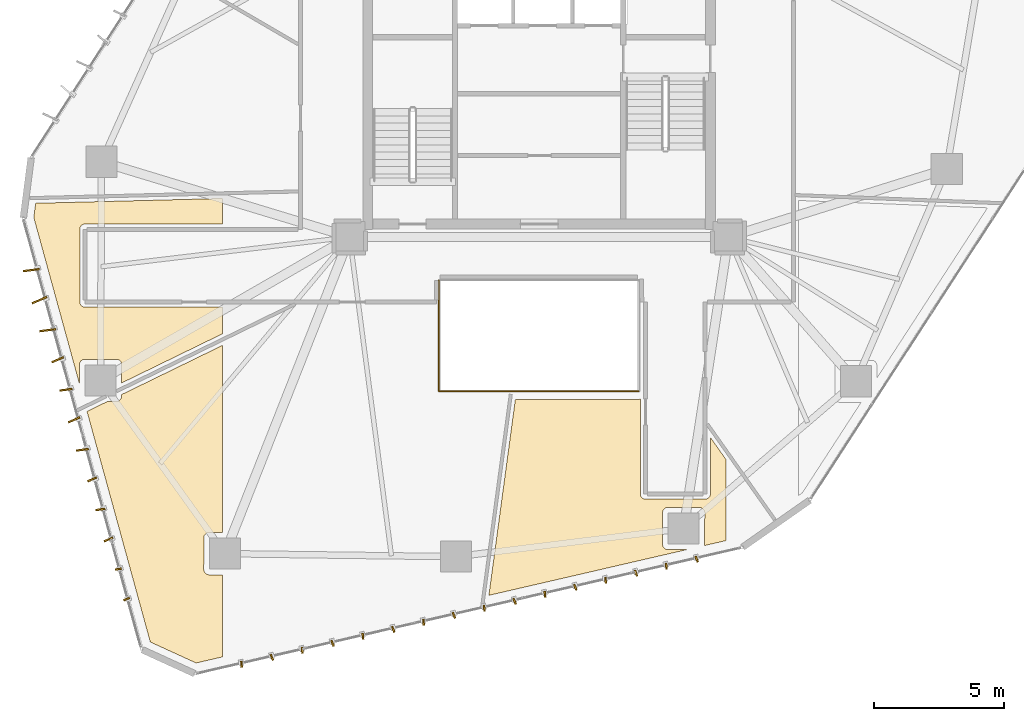
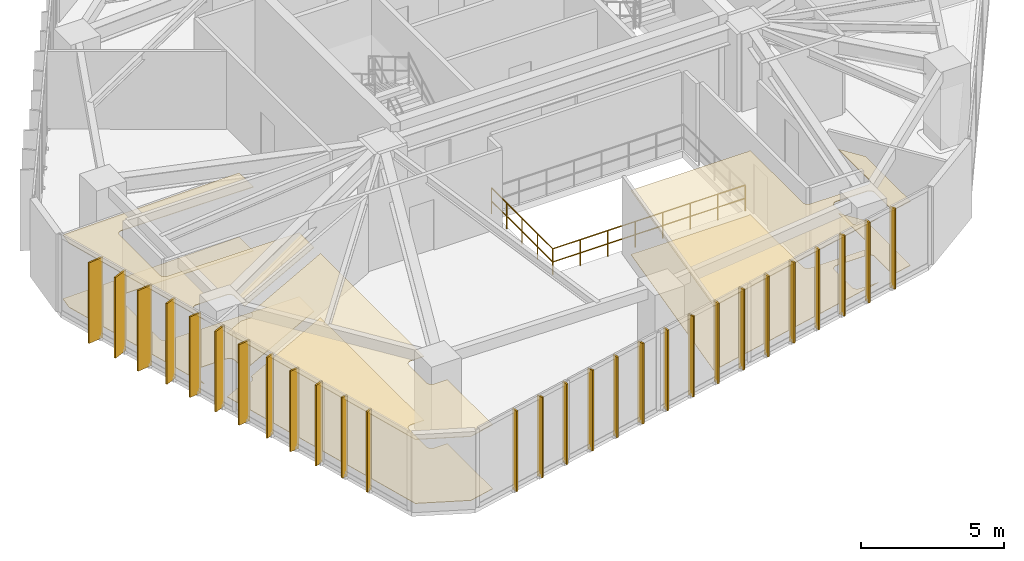
# One storey, part 19 of 21: 28 shading devices, 6 coverings, 2 railings.
"""IFC4 building model written with IfcOpenShell, lengths in metres."""

from ifc_helpers import new_model, si_unit, direction, frame, origin, origin_2d, place, context, subcontext, project, spatial, polyline, rectangle, circle, outline, extrude, source, transform, mapped, material, layer, layer_set, type_object, type_shapes, element, save


model = new_model("IFC4")

# Units and contexts
model_context = context("Model", 3, precision=1e-05, world=origin(), true_north=direction((0.0, 1.0)))
body_context = subcontext(model_context, "Body", "Model", "MODEL_VIEW")
ifc_project = project(units=[si_unit("LENGTHUNIT", "METRE"), si_unit("AREAUNIT", "SQUARE_METRE"), si_unit("VOLUMEUNIT", "CUBIC_METRE"), si_unit("PLANEANGLEUNIT", "RADIAN"), si_unit("MASSUNIT", "GRAM", prefix="KILO")], contexts=[model_context])

# Site, building, storey
site_placement = place(None, origin())
site = spatial("IfcSite", under=ifc_project, at=site_placement, CompositionType="ELEMENT")
building_placement = place(site_placement, origin())
building = spatial("IfcBuilding", under=site, at=building_placement, Name="Talar Marvaseh", CompositionType="ELEMENT")
storey_placement = place(building_placement, frame((0.0, 0.0, 129.0)))
storey = spatial("IfcBuildingStorey", under=building, at=storey_placement, Name="L33", CompositionType="ELEMENT", Elevation=129.0)

# Railings
ifc_material_1 = material(Name="Tempered Clear Glass", Category="glass")
railing_type = type_object("IfcRailingType", Name="Interior Atrium Edge Balustrade 1120", PredefinedType="BALUSTRADE", material=ifc_material_1)
railing_1_placement = place(storey_placement, frame((22.1298828125, 19.561279296875, 0.0)))
element("IfcRailing", 1, at=railing_1_placement, inside=storey, type_object=railing_type, Name="L33 Internal Daylight Atrium Balustrade 1", PredefinedType="BALUSTRADE", context=body_context, shape_type="SweptSolid", body=[
    extrude(circle(Radius=0.02392578125, at=origin_2d()), frame((0.0, 0.0, 1.09619140625), z_axis=(1.0, 0.0, 0.0), x_axis=(0.0, 1.0, 0.0)), (0.0, 0.0, 1.0), 7.740234375),
    extrude(circle(Radius=0.02392578125, at=origin_2d()), frame((0.0, 0.0, 0.5361328125), z_axis=(1.0, 0.0, 0.0), x_axis=(0.0, 1.0, 0.0)), (0.0, 0.0, 1.0), 7.740234375),
    extrude(circle(Radius=0.02099609375, at=origin_2d()), origin(), (0.0, 0.0, 1.0), 1.072021484375),
    extrude(circle(Radius=0.02099609375, at=origin_2d()), frame((1.105712890625, 0.0, 0.0)), (0.0, 0.0, 1.0), 1.072021484375),
    extrude(circle(Radius=0.02099609375, at=origin_2d()), frame((2.21142578125, 0.0, 0.0)), (0.0, 0.0, 1.0), 1.072021484375),
    extrude(circle(Radius=0.02099609375, at=origin_2d()), frame((3.317138671875, 0.0, 0.0)), (0.0, 0.0, 1.0), 1.072021484375),
    extrude(circle(Radius=0.02099609375, at=origin_2d()), frame((4.423095703125, 0.0, 0.0)), (0.0, 0.0, 1.0), 1.072021484375),
    extrude(circle(Radius=0.02099609375, at=origin_2d()), frame((5.52880859375, 0.0, 0.0)), (0.0, 0.0, 1.0), 1.072021484375),
    extrude(circle(Radius=0.02099609375, at=origin_2d()), frame((6.634521484375, 0.0, 0.0)), (0.0, 0.0, 1.0), 1.072021484375),
    extrude(circle(Radius=0.02099609375, at=origin_2d()), frame((7.740234375, 0.0, 0.0)), (0.0, 0.0, 1.0), 1.072021484375),
])
railing_2_placement = place(storey_placement, frame((22.1298828125, 23.838623046875, 0.0)))
element("IfcRailing", 2, at=railing_2_placement, inside=storey, type_object=railing_type, Name="L33 Internal Daylight Atrium Balustrade 4", PredefinedType="BALUSTRADE", context=body_context, shape_type="SweptSolid", body=[
    extrude(circle(Radius=0.02392578125, at=origin_2d()), frame((0.0, 0.0, 1.09619140625), z_axis=(0.0, -1.0, 0.0), x_axis=(1.0, 0.0, 0.0)), (0.0, 0.0, 1.0), 4.27734375),
    extrude(circle(Radius=0.02392578125, at=origin_2d()), frame((0.0, 0.0, 0.5361328125), z_axis=(0.0, -1.0, 0.0), x_axis=(1.0, 0.0, 0.0)), (0.0, 0.0, 1.0), 4.27734375),
    extrude(circle(Radius=0.02099609375, at=origin_2d()), origin(), (0.0, 0.0, 1.0), 1.072021484375),
    extrude(circle(Radius=0.02099609375, at=origin_2d()), frame((0.0, -1.0693359375, 0.0)), (0.0, 0.0, 1.0), 1.072021484375),
    extrude(circle(Radius=0.02099609375, at=origin_2d()), frame((0.0, -2.138671875, 0.0)), (0.0, 0.0, 1.0), 1.072021484375),
    extrude(circle(Radius=0.02099609375, at=origin_2d()), frame((0.0, -3.2080078125, 0.0)), (0.0, 0.0, 1.0), 1.072021484375),
    extrude(circle(Radius=0.02099609375, at=origin_2d()), frame((0.0, -4.27734375, 0.0)), (0.0, 0.0, 1.0), 1.072021484375),
])

# Coverings
ifc_material_2 = material(Name="Mineral Fibre Acoustic Ceiling")
ifc_layer_1 = layer(ifc_material_2, 0.02490234375)
ifc_layer_set_1 = layer_set([ifc_layer_1], Name="Mineral Fibre Acoustic Ceiling")
covering_type_1 = type_object("IfcCoveringType", Name="Perforated Mineral Fibre Acoustic Suspended Ceiling", PredefinedType="CEILING", material=ifc_layer_set_1)
covering_1_placement = place(storey_placement, frame((0.0, 0.0, 2.719970703125)))
element("IfcCovering", 3, at=covering_1_placement, inside=storey, type_object=covering_type_1, Name="L33 Accessible WC Block Acoustic Ceiling", PredefinedType="CEILING", context=body_context, shape_type="SweptSolid", body=[
    extrude(outline(polyline([(13.800048828125, 26.0), (8.5, 26.0), (8.48046875, 25.9990234375), (8.4609375, 25.99609375), (8.44189453125, 25.991455078125), (8.423583984375, 25.98486328125), (8.40576171875, 25.976318359375), (8.388916015625, 25.96630859375), (8.373046875, 25.95458984375), (8.358642578125, 25.94140625), (8.345458984375, 25.927001953125), (8.333740234375, 25.9111328125), (8.323486328125, 25.894287109375), (8.315185546875, 25.87646484375), (8.30859375, 25.858154296875), (8.3037109375, 25.839111328125), (8.301025390625, 25.819580078125), (8.300048828125, 25.800048828125), (8.300048828125, 23.0), (8.301025390625, 22.98046875), (8.3037109375, 22.9609375), (8.30859375, 22.94189453125), (8.315185546875, 22.923583984375), (8.323486328125, 22.90576171875), (8.333740234375, 22.888916015625), (8.345458984375, 22.873046875), (8.358642578125, 22.858642578125), (8.373046875, 22.845458984375), (8.388916015625, 22.833740234375), (8.40576171875, 22.823486328125), (8.423583984375, 22.815185546875), (8.44189453125, 22.80859375), (8.4609375, 22.8037109375), (8.48046875, 22.801025390625), (8.5, 22.800048828125), (13.800048828125, 22.800048828125), (13.800048828125, 21.772216796875), (9.916015625, 19.8779296875), (9.916015625, 20.576904296875), (9.915283203125, 20.5947265625), (9.912841796875, 20.6123046875), (9.908935546875, 20.62939453125), (9.903564453125, 20.646484375), (9.896728515625, 20.66259765625), (9.89111328125, 20.67431640625), (9.881591796875, 20.6923828125), (9.8701171875, 20.709228515625), (9.856689453125, 20.724853515625), (9.842041015625, 20.7392578125), (9.825927734375, 20.751953125), (9.80859375, 20.7626953125), (9.790283203125, 20.77197265625), (9.771240234375, 20.779296875), (9.75146484375, 20.784423828125), (9.731201171875, 20.78759765625), (9.710693359375, 20.78857421875), (8.494140625, 20.790283203125), (8.475341796875, 20.789306640625), (8.456787109375, 20.78662109375), (8.438720703125, 20.782470703125), (8.4208984375, 20.7763671875), (8.40380859375, 20.768798828125), (8.38720703125, 20.759521484375), (8.371826171875, 20.748779296875), (8.357666015625, 20.736572265625), (8.344482421875, 20.72314453125), (8.332763671875, 20.70849609375), (8.322265625, 20.69287109375), (8.314453125, 20.6796875), (8.305908203125, 20.663818359375), (8.298583984375, 20.647216796875), (8.293212890625, 20.630126953125), (8.289306640625, 20.612548828125), (8.286865234375, 20.594482421875), (8.285888671875, 20.57666015625), (8.28759765625, 19.84228515625), (6.5283203125, 26.2529296875), (6.599365234375, 26.802734375), (13.800048828125, 26.9873046875), (13.800048828125, 26.0)])), origin(), (0.0, 0.0, 1.0), 0.025146484375),
])
covering_2_placement = place(storey_placement, frame((0.0, 0.0, 2.719970703125)))
element("IfcCovering", 4, at=covering_2_placement, inside=storey, type_object=covering_type_1, Name="L33 Curatorial Office Acoustic Ceiling", PredefinedType="CEILING", context=body_context, shape_type="SweptSolid", body=[
    extrude(outline(polyline([(9.361083984375, 19.162109375), (9.708984375, 19.163818359375), (9.7294921875, 19.164794921875), (9.749755859375, 19.168212890625), (9.76953125, 19.173583984375), (9.788818359375, 19.180908203125), (9.80712890625, 19.18994140625), (9.824462890625, 19.201171875), (9.840576171875, 19.2138671875), (9.855224609375, 19.228271484375), (9.868408203125, 19.243896484375), (9.879638671875, 19.260986328125), (9.8876953125, 19.2744140625), (9.897705078125, 19.29345703125), (9.905517578125, 19.3134765625), (9.911376953125, 19.334228515625), (9.914794921875, 19.35546875), (9.916015625, 19.376953125), (9.916015625, 19.432861328125), (13.800048828125, 21.3271484375), (13.800048828125, 14.11376953125), (13.291015625, 14.114013671875), (13.2734375, 14.11328125), (13.255859375, 14.11083984375), (13.238525390625, 14.10693359375), (13.2216796875, 14.1015625), (13.205322265625, 14.0947265625), (13.193603515625, 14.089111328125), (13.17578125, 14.07958984375), (13.15869140625, 14.068115234375), (13.14306640625, 14.054931640625), (13.12890625, 14.040283203125), (13.1162109375, 14.024169921875), (13.105224609375, 14.0068359375), (13.09619140625, 13.988525390625), (13.0888671875, 13.96923828125), (13.083740234375, 13.949462890625), (13.08056640625, 13.92919921875), (13.079345703125, 13.908935546875), (13.0771484375, 12.693603515625), (13.077880859375, 12.674072265625), (13.080810546875, 12.654541015625), (13.085693359375, 12.635498046875), (13.09228515625, 12.616943359375), (13.1005859375, 12.59912109375), (13.110595703125, 12.58251953125), (13.122314453125, 12.566650390625), (13.135498046875, 12.552001953125), (13.150146484375, 12.538818359375), (13.166015625, 12.527099609375), (13.1796875, 12.517822265625), (13.196533203125, 12.5078125), (13.21435546875, 12.499267578125), (13.23291015625, 12.49267578125), (13.251953125, 12.48779296875), (13.271484375, 12.485107421875), (13.291015625, 12.48388671875), (13.800048828125, 12.48388671875), (13.800048828125, 9.320556640625), (12.7841796875, 9.085693359375), (11.017822265625, 9.893310546875), (8.578857421875, 18.78076171875), (9.361083984375, 19.162109375)])), origin(), (0.0, 0.0, 1.0), 0.025146484375),
])
covering_3_placement = place(storey_placement, frame((0.0, 0.0, 2.719970703125)))
element("IfcCovering", 5, at=covering_3_placement, inside=storey, type_object=covering_type_1, Name="L33 Museum Publication Bookshop Acoustic Ceiling", PredefinedType="CEILING", context=body_context, shape_type="SweptSolid", body=[
    extrude(outline(polyline([(29.800048828125, 19.239990234375), (29.81640625, 19.24072265625), (29.83251953125, 19.24267578125), (29.8486328125, 19.24609375), (29.89990234375, 19.2587890625), (29.89990234375, 15.60009765625), (29.90087890625, 15.580322265625), (29.90380859375, 15.56103515625), (29.90869140625, 15.5419921875), (29.915283203125, 15.5234375), (29.923583984375, 15.505615234375), (29.93359375, 15.489013671875), (29.9453125, 15.47314453125), (29.95849609375, 15.45849609375), (29.97314453125, 15.4453125), (29.989013671875, 15.43359375), (30.005615234375, 15.423583984375), (30.0234375, 15.415283203125), (30.0419921875, 15.40869140625), (30.06103515625, 15.40380859375), (30.080322265625, 15.40087890625), (30.10009765625, 15.39990234375), (32.39990234375, 15.39990234375), (32.419677734375, 15.40087890625), (32.43896484375, 15.40380859375), (32.4580078125, 15.40869140625), (32.4765625, 15.415283203125), (32.494384765625, 15.423583984375), (32.510986328125, 15.43359375), (32.52685546875, 15.4453125), (32.54150390625, 15.45849609375), (32.5546875, 15.47314453125), (32.56640625, 15.489013671875), (32.576416015625, 15.505615234375), (32.584716796875, 15.5234375), (32.59130859375, 15.5419921875), (32.59619140625, 15.56103515625), (32.59912109375, 15.580322265625), (32.60009765625, 15.60009765625), (32.60009765625, 17.78271484375), (33.199951171875, 16.930908203125), (33.199951171875, 13.802490234375), (32.375244140625, 13.612060546875), (32.376708984375, 13.617919921875), (32.379638671875, 13.63720703125), (32.380615234375, 13.65673828125), (32.385009765625, 14.868896484375), (32.384033203125, 14.887451171875), (32.381591796875, 14.90576171875), (32.377197265625, 14.924072265625), (32.371337890625, 14.941650390625), (32.364013671875, 14.958740234375), (32.35498046875, 14.974853515625), (32.34423828125, 14.990234375), (32.33251953125, 15.004638671875), (32.319091796875, 15.017578125), (32.30419921875, 15.03125), (32.2900390625, 15.04296875), (32.274658203125, 15.053466796875), (32.258544921875, 15.062255859375), (32.24169921875, 15.069580078125), (32.22412109375, 15.07568359375), (32.2060546875, 15.07958984375), (32.187744140625, 15.082275390625), (32.169189453125, 15.0830078125), (30.958740234375, 15.07861328125), (30.939208984375, 15.07763671875), (30.919921875, 15.07470703125), (30.90087890625, 15.06982421875), (30.88232421875, 15.063232421875), (30.86474609375, 15.0546875), (30.847900390625, 15.044677734375), (30.832275390625, 15.032958984375), (30.817626953125, 15.019775390625), (30.8046875, 15.005126953125), (30.79296875, 14.989501953125), (30.782958984375, 14.97265625), (30.774658203125, 14.955078125), (30.76806640625, 14.9365234375), (30.76318359375, 14.91748046875), (30.760498046875, 14.898193359375), (30.759521484375, 14.878662109375), (30.759521484375, 13.657470703125), (30.760498046875, 13.6376953125), (30.76318359375, 13.618408203125), (30.76806640625, 13.599365234375), (30.774658203125, 13.580810546875), (30.782958984375, 13.56298828125), (30.793212890625, 13.54638671875), (30.8046875, 13.530517578125), (30.818115234375, 13.51611328125), (30.83251953125, 13.502685546875), (30.848388671875, 13.4912109375), (30.864990234375, 13.48095703125), (30.8828125, 13.47265625), (30.9013671875, 13.466064453125), (30.92041015625, 13.461181640625), (30.939697265625, 13.45849609375), (30.95947265625, 13.45751953125), (31.7060546875, 13.45751953125), (24.06494140625, 11.69189453125), (25.085205078125, 19.239990234375), (29.800048828125, 19.239990234375)])), origin(), (0.0, 0.0, 1.0), 0.025146484375),
])
ifc_material_3 = material(Name="Porcelain Stoneware Tile", Category="masonry")
ifc_layer_2 = layer(ifc_material_3, 0.02001953125)
ifc_layer_set_2 = layer_set([ifc_layer_2], Name="Porcelain Stoneware Tile")
covering_type_2 = type_object("IfcCoveringType", Name="Polished Porcelain Stoneware Gallery Flooring", PredefinedType="FLOORING", material=ifc_layer_set_2)
covering_4_placement = place(storey_placement, origin())
element("IfcCovering", 6, at=covering_4_placement, inside=storey, type_object=covering_type_2, Name="L33 Accessible WC Block Flooring", PredefinedType="FLOORING", context=body_context, shape_type="SweptSolid", body=[
    extrude(outline(polyline([(13.800048828125, 26.0), (8.5, 26.0), (8.48046875, 25.9990234375), (8.4609375, 25.99609375), (8.44189453125, 25.991455078125), (8.423583984375, 25.98486328125), (8.40576171875, 25.976318359375), (8.388916015625, 25.96630859375), (8.373046875, 25.95458984375), (8.358642578125, 25.94140625), (8.345458984375, 25.927001953125), (8.333740234375, 25.9111328125), (8.323486328125, 25.894287109375), (8.315185546875, 25.87646484375), (8.30859375, 25.858154296875), (8.3037109375, 25.839111328125), (8.301025390625, 25.819580078125), (8.300048828125, 25.800048828125), (8.300048828125, 23.0), (8.301025390625, 22.98046875), (8.3037109375, 22.9609375), (8.30859375, 22.94189453125), (8.315185546875, 22.923583984375), (8.323486328125, 22.90576171875), (8.333740234375, 22.888916015625), (8.345458984375, 22.873046875), (8.358642578125, 22.858642578125), (8.373046875, 22.845458984375), (8.388916015625, 22.833740234375), (8.40576171875, 22.823486328125), (8.423583984375, 22.815185546875), (8.44189453125, 22.80859375), (8.4609375, 22.8037109375), (8.48046875, 22.801025390625), (8.5, 22.800048828125), (13.800048828125, 22.800048828125), (13.800048828125, 21.772216796875), (9.916015625, 19.8779296875), (9.916015625, 20.576904296875), (9.915283203125, 20.5947265625), (9.912841796875, 20.6123046875), (9.908935546875, 20.62939453125), (9.903564453125, 20.646484375), (9.896728515625, 20.66259765625), (9.89111328125, 20.67431640625), (9.881591796875, 20.6923828125), (9.8701171875, 20.709228515625), (9.856689453125, 20.724853515625), (9.842041015625, 20.7392578125), (9.825927734375, 20.751953125), (9.80859375, 20.7626953125), (9.790283203125, 20.77197265625), (9.771240234375, 20.779296875), (9.75146484375, 20.784423828125), (9.731201171875, 20.78759765625), (9.710693359375, 20.78857421875), (8.494140625, 20.790283203125), (8.475341796875, 20.789306640625), (8.456787109375, 20.78662109375), (8.438720703125, 20.782470703125), (8.4208984375, 20.7763671875), (8.40380859375, 20.768798828125), (8.38720703125, 20.759521484375), (8.371826171875, 20.748779296875), (8.357666015625, 20.736572265625), (8.344482421875, 20.72314453125), (8.332763671875, 20.70849609375), (8.322265625, 20.69287109375), (8.314453125, 20.6796875), (8.305908203125, 20.663818359375), (8.298583984375, 20.647216796875), (8.293212890625, 20.630126953125), (8.289306640625, 20.612548828125), (8.286865234375, 20.594482421875), (8.285888671875, 20.57666015625), (8.28759765625, 19.84228515625), (6.5283203125, 26.2529296875), (6.599365234375, 26.802734375), (13.800048828125, 26.9873046875), (13.800048828125, 26.0)])), origin(), (0.0, 0.0, 1.0), 0.02001953125),
])
covering_5_placement = place(storey_placement, origin())
element("IfcCovering", 7, at=covering_5_placement, inside=storey, type_object=covering_type_2, Name="L33 Curatorial Office Flooring", PredefinedType="FLOORING", context=body_context, shape_type="SweptSolid", body=[
    extrude(outline(polyline([(9.361083984375, 19.162109375), (9.708984375, 19.163818359375), (9.7294921875, 19.164794921875), (9.749755859375, 19.168212890625), (9.76953125, 19.173583984375), (9.788818359375, 19.180908203125), (9.80712890625, 19.18994140625), (9.824462890625, 19.201171875), (9.840576171875, 19.2138671875), (9.855224609375, 19.228271484375), (9.868408203125, 19.243896484375), (9.879638671875, 19.260986328125), (9.8876953125, 19.2744140625), (9.897705078125, 19.29345703125), (9.905517578125, 19.3134765625), (9.911376953125, 19.334228515625), (9.914794921875, 19.35546875), (9.916015625, 19.376953125), (9.916015625, 19.432861328125), (13.800048828125, 21.3271484375), (13.800048828125, 14.11376953125), (13.291015625, 14.114013671875), (13.2734375, 14.11328125), (13.255859375, 14.11083984375), (13.238525390625, 14.10693359375), (13.2216796875, 14.1015625), (13.205322265625, 14.0947265625), (13.193603515625, 14.089111328125), (13.17578125, 14.07958984375), (13.15869140625, 14.068115234375), (13.14306640625, 14.054931640625), (13.12890625, 14.040283203125), (13.1162109375, 14.024169921875), (13.105224609375, 14.0068359375), (13.09619140625, 13.988525390625), (13.0888671875, 13.96923828125), (13.083740234375, 13.949462890625), (13.08056640625, 13.92919921875), (13.079345703125, 13.908935546875), (13.0771484375, 12.693603515625), (13.077880859375, 12.674072265625), (13.080810546875, 12.654541015625), (13.085693359375, 12.635498046875), (13.09228515625, 12.616943359375), (13.1005859375, 12.59912109375), (13.110595703125, 12.58251953125), (13.122314453125, 12.566650390625), (13.135498046875, 12.552001953125), (13.150146484375, 12.538818359375), (13.166015625, 12.527099609375), (13.1796875, 12.517822265625), (13.196533203125, 12.5078125), (13.21435546875, 12.499267578125), (13.23291015625, 12.49267578125), (13.251953125, 12.48779296875), (13.271484375, 12.485107421875), (13.291015625, 12.48388671875), (13.800048828125, 12.48388671875), (13.800048828125, 9.320556640625), (12.7841796875, 9.085693359375), (11.017822265625, 9.893310546875), (8.578857421875, 18.78076171875), (9.361083984375, 19.162109375)])), origin(), (0.0, 0.0, 1.0), 0.02001953125),
])
covering_6_placement = place(storey_placement, origin())
element("IfcCovering", 8, at=covering_6_placement, inside=storey, type_object=covering_type_2, Name="L33 Museum Publication Bookshop Flooring", PredefinedType="FLOORING", context=body_context, shape_type="SweptSolid", body=[
    extrude(outline(polyline([(29.800048828125, 19.239990234375), (29.81640625, 19.24072265625), (29.83251953125, 19.24267578125), (29.8486328125, 19.24609375), (29.89990234375, 19.2587890625), (29.89990234375, 15.60009765625), (29.90087890625, 15.580322265625), (29.90380859375, 15.56103515625), (29.90869140625, 15.5419921875), (29.915283203125, 15.5234375), (29.923583984375, 15.505615234375), (29.93359375, 15.489013671875), (29.9453125, 15.47314453125), (29.95849609375, 15.45849609375), (29.97314453125, 15.4453125), (29.989013671875, 15.43359375), (30.005615234375, 15.423583984375), (30.0234375, 15.415283203125), (30.0419921875, 15.40869140625), (30.06103515625, 15.40380859375), (30.080322265625, 15.40087890625), (30.10009765625, 15.39990234375), (32.39990234375, 15.39990234375), (32.419677734375, 15.40087890625), (32.43896484375, 15.40380859375), (32.4580078125, 15.40869140625), (32.4765625, 15.415283203125), (32.494384765625, 15.423583984375), (32.510986328125, 15.43359375), (32.52685546875, 15.4453125), (32.54150390625, 15.45849609375), (32.5546875, 15.47314453125), (32.56640625, 15.489013671875), (32.576416015625, 15.505615234375), (32.584716796875, 15.5234375), (32.59130859375, 15.5419921875), (32.59619140625, 15.56103515625), (32.59912109375, 15.580322265625), (32.60009765625, 15.60009765625), (32.60009765625, 17.78271484375), (33.199951171875, 16.930908203125), (33.199951171875, 13.802490234375), (32.375244140625, 13.612060546875), (32.376708984375, 13.617919921875), (32.379638671875, 13.63720703125), (32.380615234375, 13.65673828125), (32.385009765625, 14.868896484375), (32.384033203125, 14.887451171875), (32.381591796875, 14.90576171875), (32.377197265625, 14.924072265625), (32.371337890625, 14.941650390625), (32.364013671875, 14.958740234375), (32.35498046875, 14.974853515625), (32.34423828125, 14.990234375), (32.33251953125, 15.004638671875), (32.319091796875, 15.017578125), (32.30419921875, 15.03125), (32.2900390625, 15.04296875), (32.274658203125, 15.053466796875), (32.258544921875, 15.062255859375), (32.24169921875, 15.069580078125), (32.22412109375, 15.07568359375), (32.2060546875, 15.07958984375), (32.187744140625, 15.082275390625), (32.169189453125, 15.0830078125), (30.958740234375, 15.07861328125), (30.939208984375, 15.07763671875), (30.919921875, 15.07470703125), (30.90087890625, 15.06982421875), (30.88232421875, 15.063232421875), (30.86474609375, 15.0546875), (30.847900390625, 15.044677734375), (30.832275390625, 15.032958984375), (30.817626953125, 15.019775390625), (30.8046875, 15.005126953125), (30.79296875, 14.989501953125), (30.782958984375, 14.97265625), (30.774658203125, 14.955078125), (30.76806640625, 14.9365234375), (30.76318359375, 14.91748046875), (30.760498046875, 14.898193359375), (30.759521484375, 14.878662109375), (30.759521484375, 13.657470703125), (30.760498046875, 13.6376953125), (30.76318359375, 13.618408203125), (30.76806640625, 13.599365234375), (30.774658203125, 13.580810546875), (30.782958984375, 13.56298828125), (30.793212890625, 13.54638671875), (30.8046875, 13.530517578125), (30.818115234375, 13.51611328125), (30.83251953125, 13.502685546875), (30.848388671875, 13.4912109375), (30.864990234375, 13.48095703125), (30.8828125, 13.47265625), (30.9013671875, 13.466064453125), (30.92041015625, 13.461181640625), (30.939697265625, 13.45849609375), (30.95947265625, 13.45751953125), (31.7060546875, 13.45751953125), (24.06494140625, 11.69189453125), (25.085205078125, 19.239990234375), (29.800048828125, 19.239990234375)])), origin(), (0.0, 0.0, 1.0), 0.02001953125),
])

# Shading devices
ifc_material_4 = material(Name="Anodised Champagne Bronze Aluminium", Category="aluminium")
ifc_layer_3 = layer(ifc_material_4, 0.06494140625)
ifc_layer_set_3 = layer_set([ifc_layer_3], Name="Anodised Champagne Bronze Aluminium")
shading_device_type_1 = type_object("IfcShadingDeviceType", Name="Sawtooth Champagne Bronze Vertical Fin 240", PredefinedType="USERDEFINED", material=ifc_layer_set_3)
shared_shape_1 = source(origin(), body_context, "Body", "SweptSolid", [
    extrude(rectangle(XDim=0.239990234375, YDim=0.06494140625, at=origin_2d()), origin(), (0.0, 0.0, 1.0), 3.429931640625),
])
type_shapes(shading_device_type_1, [shared_shape_1])
for number, where, z_axis, x_axis, name in (
    (9, (10.1025390625, 11.547119140625, -0.1201171875), (0.0, 0.0, 1.0), (-0.9181008531, -0.396346847517, 0.0), "L33 Sawtooth Vertical Solar Fin"),
    (10, (9.784912109375, 12.704345703125, -0.1201171875), (0.0, 0.0, 1.0), (-0.99178318013, -0.127930151302, 0.0), "L33 Sawtooth Vertical Solar Fin"),
    (11, (32.072021484375, 13.085205078125, -0.1201171875), (0.0, 0.0, 1.0), (0.358530884609, -0.933517865272, 0.0), "L33 Sawtooth Vertical Solar Fin"),
    (12, (30.902587890625, 12.815185546875, -0.1201171875), (0.0, 0.0, 1.0), (0.087329610194, -0.996179471372, 0.0), "L33 Sawtooth Vertical Solar Fin"),
    (13, (29.7333984375, 12.544921875, -0.1201171875), (0.0, 0.0, 1.0), (0.358530884609, -0.933517865272, 0.0), "L33 Sawtooth Vertical Solar Fin"),
    (14, (28.564208984375, 12.27490234375, -0.1201171875), (0.0, 0.0, 1.0), (0.087329610194, -0.996179471372, 0.0), "L33 Sawtooth Vertical Solar Fin"),
    (15, (27.39501953125, 12.004638671875, -0.1201171875), (0.0, 0.0, 1.0), (0.358530884609, -0.933517865272, 0.0), "L33 Sawtooth Vertical Solar Fin"),
    (16, (26.225830078125, 11.734619140625, -0.1201171875), (0.0, 0.0, 1.0), (0.087329610194, -0.996179471372, 0.0), "L33 Sawtooth Vertical Solar Fin"),
    (17, (25.056640625, 11.464599609375, -0.1201171875), (0.0, 0.0, 1.0), (0.358530884609, -0.933517865272, 0.0), "L33 Sawtooth Vertical Solar Fin"),
    (18, (23.887451171875, 11.1943359375, -0.1201171875), (0.0, 0.0, 1.0), (0.087329610194, -0.996179471372, 0.0), "L33 Sawtooth Vertical Solar Fin"),
    (19, (22.71826171875, 10.92431640625, -0.1201171875), (0.0, 0.0, 1.0), (0.358530884609, -0.933517865272, 0.0), "L33 Sawtooth Vertical Solar Fin"),
    (20, (21.549072265625, 10.654052734375, -0.1201171875), (0.0, 0.0, 1.0), (0.087329610194, -0.996179471372, 0.0), "L33 Sawtooth Vertical Solar Fin"),
    (21, (20.3798828125, 10.384033203125, -0.1201171875), (0.0, 0.0, 1.0), (0.358530884609, -0.933517865272, 0.0), "L33 Sawtooth Vertical Solar Fin"),
    (22, (19.210693359375, 10.114013671875, -0.1201171875), (0.0, 0.0, 1.0), (0.087329610194, -0.996179471372, 0.0), "L33 Sawtooth Vertical Solar Fin"),
    (23, (18.04150390625, 9.84375, -0.1201171875), (0.0, 0.0, 1.0), (0.358530884609, -0.933517865272, 0.0), "L33 Sawtooth Vertical Solar Fin"),
    (24, (16.872314453125, 9.573486328125, -0.1201171875), (0.0, 0.0, 1.0), (0.087329610194, -0.996179471372, 0.0), "L33 Sawtooth Vertical Solar Fin"),
    (25, (15.703125, 9.303466796875, -0.1201171875), (0.0, 0.0, 1.0), (0.358530884609, -0.933517865272, 0.0), "L33 Sawtooth Vertical Solar Fin"),
    (26, (14.533935546875, 9.033447265625, -0.1201171875), (0.0, 0.0, 1.0), (0.087329610194, -0.996179471372, 0.0), "L33 Sawtooth Vertical Solar Fin"),
):
    element("IfcShadingDevice", number, at=place(storey_placement, frame(where, z_axis=z_axis, x_axis=x_axis)), inside=storey, type_object=shading_device_type_1, Name=name, ObjectType="FIN", PredefinedType="USERDEFINED", context=body_context, shape_type="MappedRepresentation", body=[
        mapped(shared_shape_1, transform((0.0, 0.0, 0.0), x_axis=(1.0, 0.0, 0.0), y_axis=(0.0, 1.0, 0.0), z_axis=(0.0, 0.0, 1.0), scale=1.0)),
    ])
ifc_layer_4 = layer(ifc_material_4, 0.06494140625)
ifc_layer_set_4 = layer_set([ifc_layer_4], Name="Anodised Champagne Bronze Aluminium")
shading_device_type_2 = type_object("IfcShadingDeviceType", Name="Sawtooth Champagne Bronze Vertical Fin 360", PredefinedType="USERDEFINED", material=ifc_layer_set_4)
shared_shape_2 = source(origin(), body_context, "Body", "SweptSolid", [
    extrude(rectangle(XDim=0.360107421875, YDim=0.06494140625, at=origin_2d()), origin(), (0.0, 0.0, 1.0), 3.429931640625),
])
type_shapes(shading_device_type_2, [shared_shape_2])
for number, where, z_axis, x_axis, name in (
    (27, (9.40966796875, 13.845703125, -0.1201171875), (0.0, 0.0, 1.0), (-0.9181008531, -0.396346847517, 0.0), "L33 Sawtooth Vertical Solar Fin"),
    (28, (9.092041015625, 15.0029296875, -0.1201171875), (0.0, 0.0, 1.0), (-0.99178318013, -0.127930151302, 0.0), "L33 Sawtooth Vertical Solar Fin"),
    (29, (8.7744140625, 16.16015625, -0.1201171875), (0.0, 0.0, 1.0), (-0.9181008531, -0.396346847517, 0.0), "L33 Sawtooth Vertical Solar Fin"),
):
    element("IfcShadingDevice", number, at=place(storey_placement, frame(where, z_axis=z_axis, x_axis=x_axis)), inside=storey, type_object=shading_device_type_2, Name=name, ObjectType="FIN", PredefinedType="USERDEFINED", context=body_context, shape_type="MappedRepresentation", body=[
        mapped(shared_shape_2, transform((0.0, 0.0, 0.0), x_axis=(1.0, 0.0, 0.0), y_axis=(0.0, 1.0, 0.0), z_axis=(0.0, 0.0, 1.0), scale=1.0)),
    ])
ifc_layer_5 = layer(ifc_material_4, 0.06494140625)
ifc_layer_set_5 = layer_set([ifc_layer_5], Name="Anodised Champagne Bronze Aluminium")
shading_device_type_3 = type_object("IfcShadingDeviceType", Name="Sawtooth Champagne Bronze Vertical Fin 480", PredefinedType="USERDEFINED", material=ifc_layer_set_5)
shared_shape_3 = source(origin(), body_context, "Body", "SweptSolid", [
    extrude(rectangle(XDim=0.47998046875, YDim=0.06494140625, at=origin_2d()), origin(), (0.0, 0.0, 1.0), 3.429931640625),
])
type_shapes(shading_device_type_3, [shared_shape_3])
for number, where, z_axis, x_axis, name in (
    (30, (8.39892578125, 17.301513671875, -0.1201171875), (0.0, 0.0, 1.0), (-0.99178318013, -0.127930151302, 0.0), "L33 Sawtooth Vertical Solar Fin"),
    (31, (8.081298828125, 18.458740234375, -0.1201171875), (0.0, 0.0, 1.0), (-0.9181008531, -0.396346847517, 0.0), "L33 Sawtooth Vertical Solar Fin"),
    (32, (7.763916015625, 19.615966796875, -0.1201171875), (0.0, 0.0, 1.0), (-0.99178318013, -0.127930151302, 0.0), "L33 Sawtooth Vertical Solar Fin"),
    (33, (7.4462890625, 20.773193359375, -0.1201171875), (0.0, 0.0, 1.0), (-0.9181008531, -0.396346847517, 0.0), "L33 Sawtooth Vertical Solar Fin"),
):
    element("IfcShadingDevice", number, at=place(storey_placement, frame(where, z_axis=z_axis, x_axis=x_axis)), inside=storey, type_object=shading_device_type_3, Name=name, ObjectType="FIN", PredefinedType="USERDEFINED", context=body_context, shape_type="MappedRepresentation", body=[
        mapped(shared_shape_3, transform((0.0, 0.0, 0.0), x_axis=(1.0, 0.0, 0.0), y_axis=(0.0, 1.0, 0.0), z_axis=(0.0, 0.0, 1.0), scale=1.0)),
    ])
ifc_layer_6 = layer(ifc_material_4, 0.06494140625)
ifc_layer_set_6 = layer_set([ifc_layer_6], Name="Anodised Champagne Bronze Aluminium")
shading_device_type_4 = type_object("IfcShadingDeviceType", Name="Sawtooth Champagne Bronze Vertical Fin 620", PredefinedType="USERDEFINED", material=ifc_layer_set_6)
shared_shape_4 = source(origin(), body_context, "Body", "SweptSolid", [
    extrude(rectangle(XDim=0.6201171875, YDim=0.06494140625, at=origin_2d()), origin(), (0.0, 0.0, 1.0), 3.429931640625),
])
type_shapes(shading_device_type_4, [shared_shape_4])
for number, where, z_axis, x_axis, name in (
    (34, (7.06103515625, 21.911865234375, -0.1201171875), (0.0, 0.0, 1.0), (-0.99178318013, -0.127930151302, 0.0), "L33 Sawtooth Vertical Solar Fin"),
    (35, (6.74365234375, 23.069091796875, -0.1201171875), (0.0, 0.0, 1.0), (-0.9181008531, -0.396346847517, 0.0), "L33 Sawtooth Vertical Solar Fin"),
    (36, (6.426025390625, 24.226318359375, -0.1201171875), (0.0, 0.0, 1.0), (-0.99178318013, -0.127930151302, 0.0), "L33 Sawtooth Vertical Solar Fin"),
):
    element("IfcShadingDevice", number, at=place(storey_placement, frame(where, z_axis=z_axis, x_axis=x_axis)), inside=storey, type_object=shading_device_type_4, Name=name, ObjectType="FIN", PredefinedType="USERDEFINED", context=body_context, shape_type="MappedRepresentation", body=[
        mapped(shared_shape_4, transform((0.0, 0.0, 0.0), x_axis=(1.0, 0.0, 0.0), y_axis=(0.0, 1.0, 0.0), z_axis=(0.0, 0.0, 1.0), scale=1.0)),
    ])

save(model, "model.ifc")
